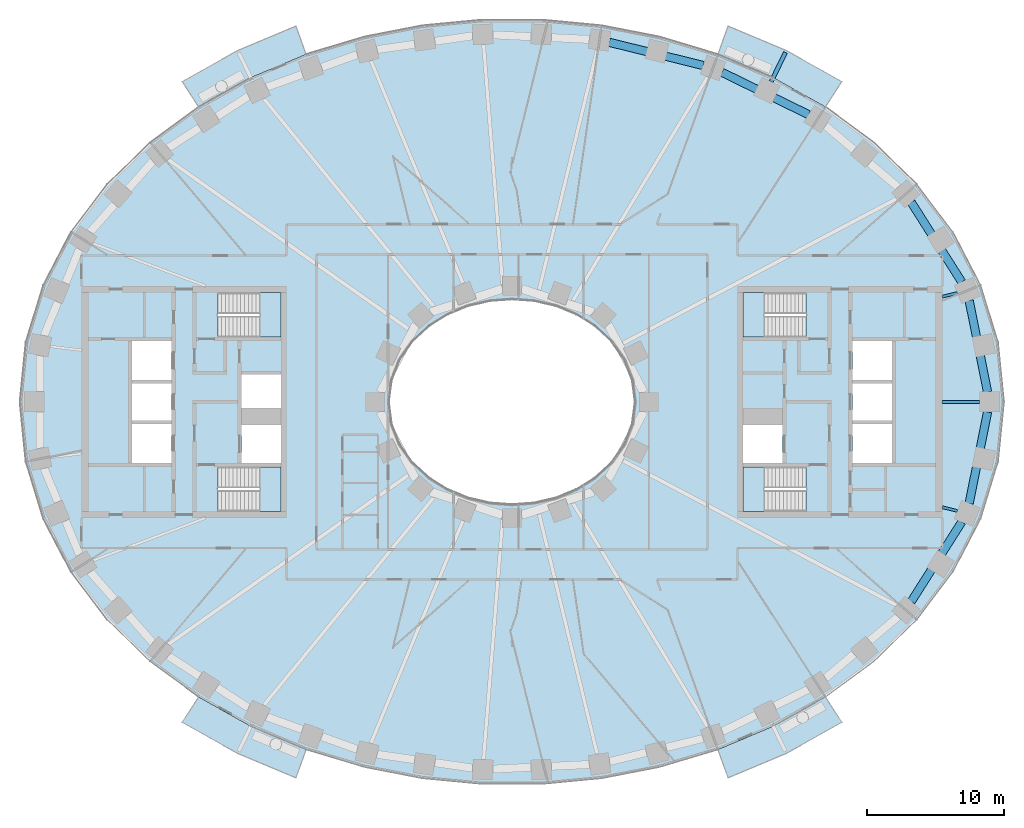
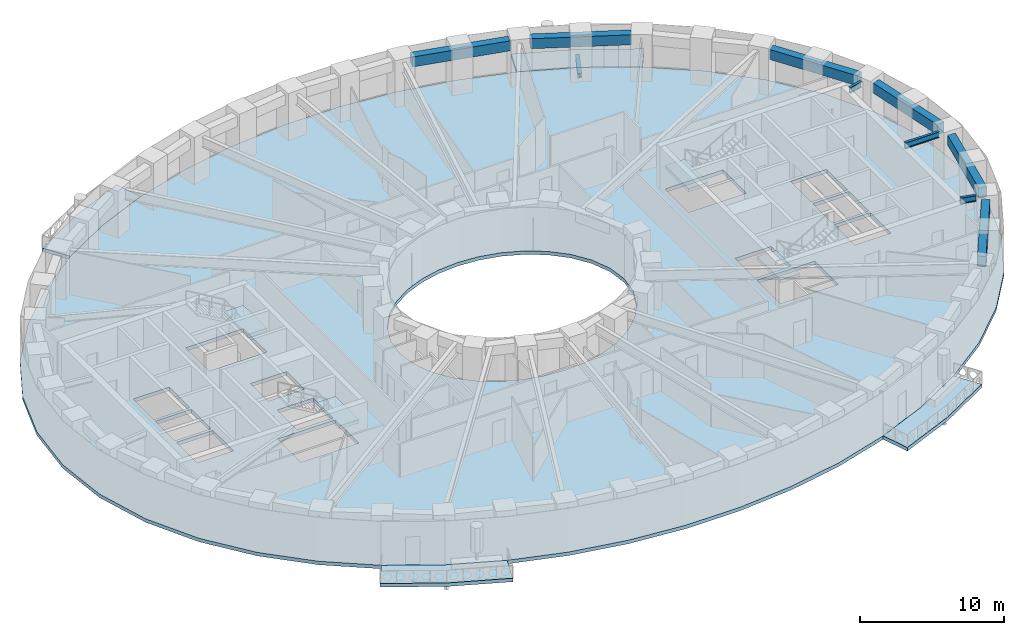
# One storey, part 2 of 15: 10 beams, 9 slabs, 4 elements without a shape of their own.
"""IFC4 building model written with IfcOpenShell, lengths in metres."""

from ifc_helpers import new_model, si_unit, direction, frame, origin, origin_2d, place, context, subcontext, project, spatial, polyline, rectangle, i_section, outline, extrude, material, layer, layer_set, material_profile, profile_set, type_object, element, aggregate, save


model = new_model("IFC4")

# Units and contexts
model_context = context("Model", 3, precision=1e-05, world=origin(), true_north=direction((0.0, 1.0)))
body_context = subcontext(model_context, "Body", "Model", "MODEL_VIEW")
ifc_project = project(units=[si_unit("LENGTHUNIT", "METRE"), si_unit("AREAUNIT", "SQUARE_METRE"), si_unit("VOLUMEUNIT", "CUBIC_METRE"), si_unit("PLANEANGLEUNIT", "RADIAN"), si_unit("MASSUNIT", "GRAM", prefix="KILO")], contexts=[model_context])

# Site, building, storey
site_placement = place(None, origin())
site = spatial("IfcSite", under=ifc_project, at=site_placement, CompositionType="ELEMENT")
building_placement = place(site_placement, origin())
building = spatial("IfcBuilding", under=site, at=building_placement, Name="Noorbagh Ring Tower", CompositionType="ELEMENT")
storey_placement = place(building_placement, frame((0.0, 0.0, 38.5)))
storey = spatial("IfcBuildingStorey", under=building, at=storey_placement, Name="L07", CompositionType="ELEMENT", Elevation=38.5)

# Beams
ifc_material_1 = material(Name="Steel S355", Category="steel")
ifc_material_profile_1 = material_profile(ifc_material_1, i_section(OverallWidth=0.300048828125, OverallDepth=0.39990234375, WebThickness=0.013427734375, FlangeThickness=0.02392578125, FilletRadius=0.027099609375, at=origin_2d()), Name="HEB400")
ifc_profile_set_1 = profile_set([ifc_material_profile_1], Name="Steel S355")
beam_type_1 = type_object("IfcBeamType", Name="STR-BALCONY-BRACKET-HEB400", PredefinedType="BEAM", material=ifc_profile_set_1)
beam_1_placement = place(storey_placement, frame((18.967041015625, 23.441162109375, -0.5), z_axis=(0.439219349849, 0.898379854359, 0.0), x_axis=(-0.898379854359, 0.439219349849, 0.0)))
element("IfcBeam", 1, at=beam_1_placement, inside=storey, type_object=beam_type_1, Name="Balcony bracket beam BN02", PredefinedType="BEAM", context=body_context, shape_type="SweptSolid", body=[
    extrude(i_section(OverallWidth=0.300048828125, OverallDepth=0.39990234375, WebThickness=0.013427734375, FlangeThickness=0.02392578125, FilletRadius=0.027099609375, at=origin_2d()), origin(), (0.0, 0.0, 1.0), 2.375244140625),
])
ifc_material_2 = material(Name="Steel S355", Category="steel")
ifc_material_profile_2 = material_profile(ifc_material_2, i_section(OverallWidth=0.199951171875, OverallDepth=0.5, WebThickness=0.01025390625, FlangeThickness=0.01611328125, FilletRadius=0.02099609375, at=origin_2d()), Name="IPE500")
ifc_profile_set_2 = profile_set([ifc_material_profile_2], Name="Steel S355")
beam_type_2 = type_object("IfcBeamType", Name="STR-RAD-IPE500", PredefinedType="BEAM", material=ifc_profile_set_2)
beam_2_placement = place(storey_placement, frame((34.214599609375, 0.0, 3.449951171875), z_axis=(-1.0, 0.0, 0.0), x_axis=(0.0, -1.0, 0.0)))
element("IfcBeam", 2, at=beam_2_placement, inside=storey, type_object=beam_type_2, Name="L07/bm/RD01", PredefinedType="BEAM", context=body_context, shape_type="SweptSolid", body=[
    extrude(i_section(OverallWidth=0.199951171875, OverallDepth=0.5, WebThickness=0.01025390625, FlangeThickness=0.01611328125, FilletRadius=0.02099609375, at=origin_2d()), origin(), (0.0, 0.0, 1.0), 2.734619140625),
])
for number, where, z_axis, x_axis, name in (
    (3, (32.587890625, 7.973876953125, 3.449951171875), (-0.971339703518, -0.237695562369, 0.0), (0.237695562369, -0.971339703518, 0.0), "L07/bm/RD03"),
    (4, (32.587890625, -7.973876953125, 3.449951171875), (-0.971339703518, 0.237695562369, 0.0), (-0.237695562369, -0.971339703518, 0.0), "L07/bm/RD45"),
):
    element("IfcBeam", number, at=place(storey_placement, frame(where, z_axis=z_axis, x_axis=x_axis)), inside=storey, type_object=beam_type_2, Name=name, PredefinedType="BEAM", context=body_context, shape_type="SweptSolid", body=[
        extrude(i_section(OverallWidth=0.199951171875, OverallDepth=0.5, WebThickness=0.01025390625, FlangeThickness=0.01611328125, FilletRadius=0.02099609375, at=origin_2d()), origin(), (0.0, 0.0, 1.0), 1.14013671875),
    ])
ifc_material_3 = material(Name="Concrete C40/50", Category="concrete")
ifc_material_profile_3 = material_profile(ifc_material_3, rectangle(XDim=0.60009765625, YDim=0.85009765625, at=origin_2d()), Name="RC600x850")
ifc_profile_set_3 = profile_set([ifc_material_profile_3], Name="Concrete C40/50")
beam_type_3 = type_object("IfcBeamType", Name="STR-SB-RC600x850-C40-50", PredefinedType="BEAM", material=ifc_profile_set_3)
beam_3_placement = place(storey_placement, frame((34.7978515625, 0.73046875, 3.27490234375), z_axis=(-0.197244389947, 0.980354349526, 0.0), x_axis=(-0.980354349526, -0.197244389947, 0.0)))
element("IfcBeam", 5, at=beam_3_placement, inside=storey, type_object=beam_type_3, Name="L07/bm/SP01", PredefinedType="BEAM", context=body_context, shape_type="SweptSolid", body=[
    extrude(rectangle(XDim=0.60009765625, YDim=0.85009765625, at=origin_2d()), origin(), (0.0, 0.0, 1.0), 6.82373046875),
])
beam_4_placement = place(storey_placement, frame((32.908203125, 8.77587890625, 3.27490234375), z_axis=(-0.535194304559, 0.844728983975, 0.0), x_axis=(-0.844728983975, -0.535194304559, 0.0)))
element("IfcBeam", 6, at=beam_4_placement, inside=storey, type_object=beam_type_3, Name="L07/bm/SP03", PredefinedType="BEAM", context=body_context, shape_type="SweptSolid", body=[
    extrude(rectangle(XDim=0.60009765625, YDim=0.85009765625, at=origin_2d()), origin(), (0.0, 0.0, 1.0), 6.9013671875),
])
beam_5_placement = place(storey_placement, frame((21.701416015625, 21.02294921875, 3.27490234375), z_axis=(-0.898409265653, 0.439159186843, 0.0), x_axis=(-0.439159186843, -0.898409265653, 0.0)))
element("IfcBeam", 7, at=beam_5_placement, inside=storey, type_object=beam_type_3, Name="L07/bm/SP07", PredefinedType="BEAM", context=body_context, shape_type="SweptSolid", body=[
    extrude(rectangle(XDim=0.60009765625, YDim=0.85009765625, at=origin_2d()), origin(), (0.0, 0.0, 1.0), 7.048095703125),
])
beam_6_placement = place(storey_placement, frame((13.996826171875, 24.616943359375, 3.27490234375), z_axis=(-0.970830070282, 0.23976858559, 0.0), x_axis=(-0.23976858559, -0.970830070282, 0.0)))
element("IfcBeam", 8, at=beam_6_placement, inside=storey, type_object=beam_type_3, Name="L07/bm/SP09", PredefinedType="BEAM", context=body_context, shape_type="SweptSolid", body=[
    extrude(rectangle(XDim=0.60009765625, YDim=0.85009765625, at=origin_2d()), origin(), (0.0, 0.0, 1.0), 7.081787109375),
])
beam_7_placement = place(storey_placement, frame((29.214599609375, -14.605712890625, 3.27490234375), z_axis=(0.535194304559, 0.844728983975, 0.0), x_axis=(-0.844728983975, 0.535194304559, 0.0)))
element("IfcBeam", 9, at=beam_7_placement, inside=storey, type_object=beam_type_3, Name="L07/bm/SP43", PredefinedType="BEAM", context=body_context, shape_type="SweptSolid", body=[
    extrude(rectangle(XDim=0.60009765625, YDim=0.85009765625, at=origin_2d()), origin(), (0.0, 0.0, 1.0), 6.9013671875),
])
beam_8_placement = place(storey_placement, frame((33.451904296875, -7.420166015625, 3.27490234375), z_axis=(0.197244389947, 0.980354349526, 0.0), x_axis=(-0.980354349526, 0.197244389947, 0.0)))
element("IfcBeam", 10, at=beam_8_placement, inside=storey, type_object=beam_type_3, Name="L07/bm/SP45", PredefinedType="BEAM", context=body_context, shape_type="SweptSolid", body=[
    extrude(rectangle(XDim=0.60009765625, YDim=0.85009765625, at=origin_2d()), origin(), (0.0, 0.0, 1.0), 6.82373046875),
])

# Stair, slab
ifc_material_4 = material(Name="Concrete C40/50", Category="concrete")
stair_type = type_object("IfcStairType", Name="CORE-STAIR", PredefinedType="HALF_TURN_STAIR", material=ifc_material_4)
stair_1_placement = place(storey_placement, origin())
stair_1 = element("IfcStair", 11, at=stair_1_placement, inside=storey, type_object=stair_type, Name="L07 Exit stair ST1", PredefinedType="HALF_TURN_STAIR")
ifc_material_5 = material(Name="Concrete C40/50", Category="concrete")
ifc_layer_1 = layer(ifc_material_5, 0.300048828125)
ifc_layer_set_1 = layer_set([ifc_layer_1], Name="Concrete C40/50")
slab_type_1 = type_object("IfcSlabType", Name="CORE-STAIR-LANDING", PredefinedType="LANDING", material=ifc_layer_set_1)
slab_1_placement = place(storey_placement, frame((0.0, 0.0, 1.699951171875)))
slab_1 = element("IfcSlab", 12, at=slab_1_placement, type_object=slab_type_1, Name="ST1 landing 1", PredefinedType="LANDING", context=body_context, shape_type="SweptSolid", body=[
    extrude(outline(polyline([(-18.449951171875, 4.75), (-16.89990234375, 4.75), (-16.89990234375, 8.0), (-18.449951171875, 8.0), (-18.449951171875, 4.75)])), origin(), (0.0, 0.0, 1.0), 0.300048828125),
])
aggregate(stair_1, [slab_1])

stair_2_placement = place(storey_placement, origin())
stair_2 = element("IfcStair", 13, at=stair_2_placement, inside=storey, type_object=stair_type, Name="L07 Exit stair ST2", PredefinedType="HALF_TURN_STAIR")
slab_2_placement = place(storey_placement, frame((0.0, 0.0, 1.699951171875)))
slab_2 = element("IfcSlab", 14, at=slab_2_placement, type_object=slab_type_1, Name="ST2 landing 1", PredefinedType="LANDING", context=body_context, shape_type="SweptSolid", body=[
    extrude(outline(polyline([(-18.449951171875, -8.0), (-16.89990234375, -8.0), (-16.89990234375, -4.75), (-18.449951171875, -4.75), (-18.449951171875, -8.0)])), origin(), (0.0, 0.0, 1.0), 0.300048828125),
])
aggregate(stair_2, [slab_2])

stair_3_placement = place(storey_placement, origin())
stair_3 = element("IfcStair", 15, at=stair_3_placement, inside=storey, type_object=stair_type, Name="L07 Exit stair ST3", PredefinedType="HALF_TURN_STAIR")
slab_3_placement = place(storey_placement, frame((0.0, 0.0, 1.699951171875)))
slab_3 = element("IfcSlab", 16, at=slab_3_placement, type_object=slab_type_1, Name="ST3 landing 1", PredefinedType="LANDING", context=body_context, shape_type="SweptSolid", body=[
    extrude(outline(polyline([(18.449951171875, 8.0), (16.89990234375, 8.0), (16.89990234375, 4.75), (18.449951171875, 4.75), (18.449951171875, 8.0)])), origin(), (0.0, 0.0, 1.0), 0.300048828125),
])
aggregate(stair_3, [slab_3])

stair_4_placement = place(storey_placement, origin())
stair_4 = element("IfcStair", 17, at=stair_4_placement, inside=storey, type_object=stair_type, Name="L07 Exit stair ST4", PredefinedType="HALF_TURN_STAIR")
slab_4_placement = place(storey_placement, frame((0.0, 0.0, 1.699951171875)))
slab_4 = element("IfcSlab", 18, at=slab_4_placement, type_object=slab_type_1, Name="ST4 landing 1", PredefinedType="LANDING", context=body_context, shape_type="SweptSolid", body=[
    extrude(outline(polyline([(18.449951171875, -4.75), (16.89990234375, -4.75), (16.89990234375, -8.0), (18.449951171875, -8.0), (18.449951171875, -4.75)])), origin(), (0.0, 0.0, 1.0), 0.300048828125),
])
aggregate(stair_4, [slab_4])

# Slabs
ifc_material_6 = material(Name="Concrete C40/50", Category="concrete")
ifc_layer_2 = layer(ifc_material_6, 0.300048828125)
ifc_layer_set_2 = layer_set([ifc_layer_2], Name="Concrete C40/50")
slab_type_2 = type_object("IfcSlabType", Name="ENV-BALCONY DECK 300", PredefinedType="FLOOR", material=ifc_layer_set_2)
slab_5_placement = place(storey_placement, frame((0.0, 0.0, -0.300048828125)))
element("IfcSlab", 19, at=slab_5_placement, inside=storey, type_object=slab_type_2, Name="Tree balcony deck BN02", PredefinedType="FLOOR", context=body_context, shape_type="SweptSolid", body=[
    extrude(outline(polyline([(24.1279296875, 23.435791015625), (20.076171875, 25.709716796875), (15.810791015625, 27.50341796875), (15.0654296875, 25.430419921875), (19.108154296875, 23.730224609375), (22.9326171875, 21.583740234375), (24.1279296875, 23.435791015625)])), origin(), (0.0, 0.0, 1.0), 0.300048828125),
])
slab_6_placement = place(storey_placement, frame((0.0, 0.0, -0.300048828125)))
element("IfcSlab", 20, at=slab_6_placement, inside=storey, type_object=slab_type_2, Name="Tree balcony deck BN05", PredefinedType="FLOOR", context=body_context, shape_type="SweptSolid", body=[
    extrude(outline(polyline([(-15.810791015625, 27.50341796875), (-20.076171875, 25.709716796875), (-24.1279296875, 23.435791015625), (-22.9326171875, 21.583740234375), (-19.108154296875, 23.730224609375), (-15.0654296875, 25.430419921875), (-15.810791015625, 27.50341796875)])), origin(), (0.0, 0.0, 1.0), 0.300048828125),
])
slab_7_placement = place(storey_placement, frame((0.0, 0.0, -0.300048828125)))
element("IfcSlab", 21, at=slab_7_placement, inside=storey, type_object=slab_type_2, Name="Tree balcony deck BS02", PredefinedType="FLOOR", context=body_context, shape_type="SweptSolid", body=[
    extrude(outline(polyline([(-24.1279296875, -23.435791015625), (-20.076171875, -25.709716796875), (-15.810791015625, -27.50341796875), (-15.0654296875, -25.430419921875), (-19.108154296875, -23.730224609375), (-22.9326171875, -21.583740234375), (-24.1279296875, -23.435791015625)])), origin(), (0.0, 0.0, 1.0), 0.300048828125),
])
slab_8_placement = place(storey_placement, frame((0.0, 0.0, -0.300048828125)))
element("IfcSlab", 22, at=slab_8_placement, inside=storey, type_object=slab_type_2, Name="Tree balcony deck BS05", PredefinedType="FLOOR", context=body_context, shape_type="SweptSolid", body=[
    extrude(outline(polyline([(15.810791015625, -27.50341796875), (20.076171875, -25.709716796875), (24.1279296875, -23.435791015625), (22.9326171875, -21.583740234375), (19.108154296875, -23.730224609375), (15.0654296875, -25.430419921875), (15.810791015625, -27.50341796875)])), origin(), (0.0, 0.0, 1.0), 0.300048828125),
])
ifc_material_7 = material(Name="Concrete C40/50", Category="concrete")
ifc_layer_3 = layer(ifc_material_7, 0.300048828125)
ifc_layer_set_3 = layer_set([ifc_layer_3], Name="Concrete C40/50")
slab_type_3 = type_object("IfcSlabType", Name="STR-FLOOR-DECK-300", PredefinedType="FLOOR", material=ifc_layer_set_3)
slab_9_placement = place(storey_placement, frame((0.0, 0.0, -0.300048828125)))
element("IfcSlab", 23, at=slab_9_placement, inside=storey, type_object=slab_type_3, Name="L07/slab/1", PredefinedType="FLOOR", context=body_context, shape_type="SweptSolid", body=[
    extrude(outline(polyline([(36.0, 0.0), (35.56103515625, 4.358642578125), (34.281005859375, 8.548828125), (32.255126953125, 12.434814453125), (29.607666015625, 15.92822265625), (26.463134765625, 18.983154296875), (22.9326171875, 21.583740234375), (19.108154296875, 23.730224609375), (15.0654296875, 25.430419921875), (10.865234375, 26.6943359375), (6.5595703125, 27.53125), (2.193115234375, 27.947998046875), (-2.193115234375, 27.947998046875), (-6.5595703125, 27.53125), (-10.865234375, 26.6943359375), (-15.0654296875, 25.430419921875), (-19.108154296875, 23.730224609375), (-22.9326171875, 21.583740234375), (-26.463134765625, 18.983154296875), (-29.607666015625, 15.92822265625), (-32.255126953125, 12.434814453125), (-34.281005859375, 8.548828125), (-35.56103515625, 4.358642578125), (-36.0, 0.0), (-35.56103515625, -4.358642578125), (-34.281005859375, -8.548828125), (-32.255126953125, -12.434814453125), (-29.607666015625, -15.92822265625), (-26.463134765625, -18.983154296875), (-22.9326171875, -21.583740234375), (-19.108154296875, -23.730224609375), (-15.0654296875, -25.430419921875), (-10.865234375, -26.6943359375), (-6.5595703125, -27.53125), (-2.193115234375, -27.947998046875), (2.193115234375, -27.947998046875), (6.5595703125, -27.53125), (10.865234375, -26.6943359375), (15.0654296875, -25.430419921875), (19.108154296875, -23.730224609375), (22.9326171875, -21.583740234375), (26.463134765625, -18.983154296875), (29.607666015625, -15.92822265625), (32.255126953125, -12.434814453125), (34.281005859375, -8.548828125), (35.56103515625, -4.358642578125), (36.0, 0.0)]), holes=[polyline([(24.89990234375, -1.60009765625), (27.800048828125, -1.60009765625), (27.800048828125, -4.449951171875), (24.89990234375, -4.449951171875), (24.89990234375, -1.60009765625)]), polyline([(24.89990234375, 1.35009765625), (27.800048828125, 1.35009765625), (27.800048828125, -1.35009765625), (24.89990234375, -1.35009765625), (24.89990234375, 1.35009765625)]), polyline([(24.89990234375, 4.449951171875), (27.800048828125, 4.449951171875), (27.800048828125, 1.60009765625), (24.89990234375, 1.60009765625), (24.89990234375, 4.449951171875)]), polyline([(21.529541015625, -4.75), (21.529541015625, -8.0), (16.89990234375, -8.0), (16.89990234375, -4.75), (21.529541015625, -4.75)]), polyline([(21.529541015625, 4.75), (16.89990234375, 4.75), (16.89990234375, 8.0), (21.529541015625, 8.0), (21.529541015625, 4.75)]), polyline([(16.89990234375, -1.699951171875), (19.800048828125, -1.699951171875), (19.800048828125, -4.449951171875), (16.89990234375, -4.449951171875), (16.89990234375, -1.699951171875)]), polyline([(4.697509765625, -6.3974609375), (3.196533203125, -7.010986328125), (1.6171875, -7.3779296875), (0.0, -7.5), (-1.6171875, -7.3779296875), (-3.196533203125, -7.010986328125), (-4.697509765625, -6.3974609375), (-6.071044921875, -5.53662109375), (-7.2587890625, -4.43408203125), (-8.1904296875, -3.10888671875), (-8.79150390625, -1.605224609375), (-9.0, 0.0), (-8.79150390625, 1.605224609375), (-8.1904296875, 3.10888671875), (-7.2587890625, 4.43408203125), (-6.071044921875, 5.53662109375), (-4.697509765625, 6.3974609375), (-3.196533203125, 7.010986328125), (-1.6171875, 7.3779296875), (0.0, 7.5), (1.6171875, 7.3779296875), (3.196533203125, 7.010986328125), (4.697509765625, 6.3974609375), (6.071044921875, 5.53662109375), (7.2587890625, 4.43408203125), (8.1904296875, 3.10888671875), (8.79150390625, 1.605224609375), (9.0, 0.0), (8.79150390625, -1.605224609375), (8.1904296875, -3.10888671875), (7.2587890625, -4.43408203125), (6.071044921875, -5.53662109375), (4.697509765625, -6.3974609375)]), polyline([(-21.529541015625, -8.0), (-21.529541015625, -4.75), (-16.89990234375, -4.75), (-16.89990234375, -8.0), (-21.529541015625, -8.0)]), polyline([(-21.529541015625, 8.0), (-16.89990234375, 8.0), (-16.89990234375, 4.75), (-21.529541015625, 4.75), (-21.529541015625, 8.0)]), polyline([(-16.89990234375, -4.449951171875), (-19.800048828125, -4.449951171875), (-19.800048828125, -1.699951171875), (-16.89990234375, -1.699951171875), (-16.89990234375, -4.449951171875)]), polyline([(-16.89990234375, -0.449951171875), (-19.800048828125, -0.449951171875), (-19.800048828125, 2.0), (-16.89990234375, 2.0), (-16.89990234375, -0.449951171875)]), polyline([(-24.89990234375, -4.449951171875), (-27.800048828125, -4.449951171875), (-27.800048828125, -1.60009765625), (-24.89990234375, -1.60009765625), (-24.89990234375, -4.449951171875)]), polyline([(-24.89990234375, -1.35009765625), (-27.800048828125, -1.35009765625), (-27.800048828125, 1.35009765625), (-24.89990234375, 1.35009765625), (-24.89990234375, -1.35009765625)]), polyline([(-24.89990234375, 1.60009765625), (-27.800048828125, 1.60009765625), (-27.800048828125, 4.449951171875), (-24.89990234375, 4.449951171875), (-24.89990234375, 1.60009765625)])]), origin(), (0.0, 0.0, 1.0), 0.300048828125),
])

save(model, "model.ifc")
